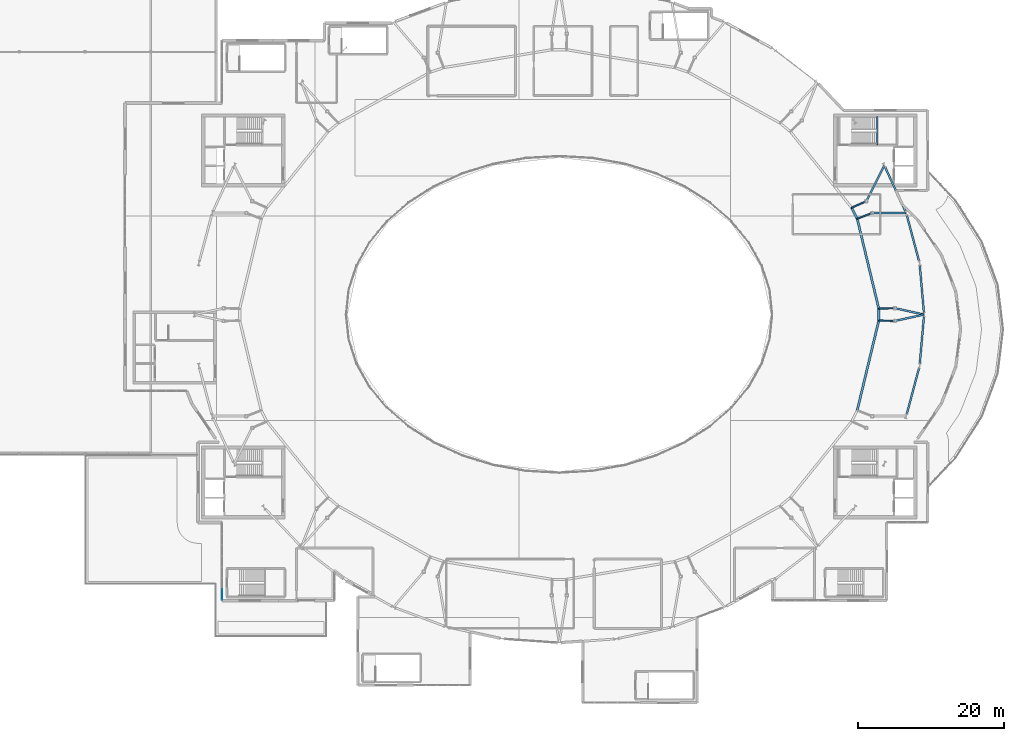
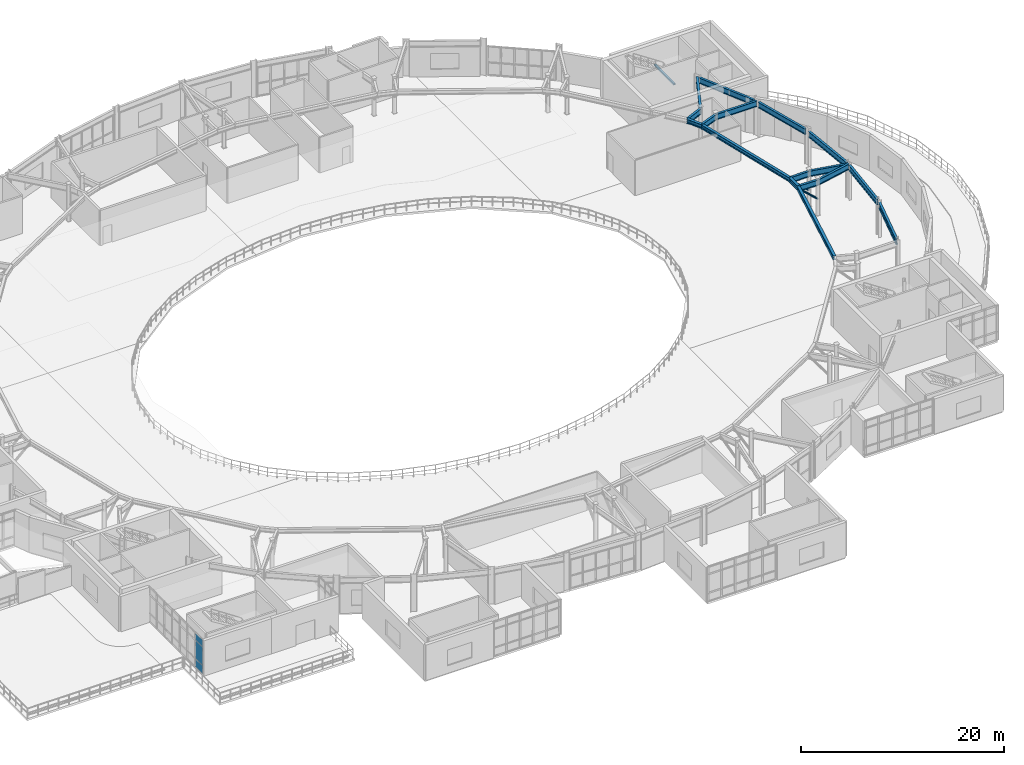
# One storey, part 30 of 48: 18 beams, 4 members, 3 plates, 1 element without a shape of its own.
"""IFC4 building model written with IfcOpenShell, lengths in metres."""

from ifc_helpers import new_model, si_unit, direction, frame, origin, origin_2d, place, context, subcontext, project, spatial, rectangle, hollow_rectangle, hollow_circle, i_section, extrude, material, layer, layer_set, material_profile, profile_set, type_object, element, aggregate, save


model = new_model("IFC4")

# Units and contexts
model_context = context("Model", 3, precision=1e-05, world=origin(), true_north=direction((0.0, 1.0)))
body_context = subcontext(model_context, "Body", "Model", "MODEL_VIEW")
ifc_project = project(units=[si_unit("LENGTHUNIT", "METRE"), si_unit("AREAUNIT", "SQUARE_METRE"), si_unit("VOLUMEUNIT", "CUBIC_METRE"), si_unit("PLANEANGLEUNIT", "RADIAN"), si_unit("MASSUNIT", "GRAM", prefix="KILO")], contexts=[model_context])

# Site, building, storey
site_placement = place(None, origin())
site = spatial("IfcSite", under=ifc_project, at=site_placement, CompositionType="ELEMENT")
building_placement = place(site_placement, origin())
building = spatial("IfcBuilding", under=site, at=building_placement, Name="Glasvene Arena", CompositionType="ELEMENT")
storey_placement = place(building_placement, frame((0.0, 0.0, 19.5)))
storey = spatial("IfcBuildingStorey", under=building, at=storey_placement, Name="L04", CompositionType="ELEMENT", Elevation=19.5)

# Beams
ifc_material_1 = material(Name="Steel S355J2", Category="steel")
ifc_material_profile_1 = material_profile(ifc_material_1, i_section(OverallWidth=0.300048828125, OverallDepth=0.5, WebThickness=0.014404296875, FlangeThickness=0.028076171875, FilletRadius=0.027099609375, at=origin_2d()), Name="HEB 500")
ifc_profile_set_1 = profile_set([ifc_material_profile_1], Name="Steel S355J2")
beam_type_1 = type_object("IfcBeamType", Name="BM-EAVE-CANT", PredefinedType="BEAM", material=ifc_profile_set_1)
beam_1_placement = place(storey_placement, frame((135.788818359375, 73.823486328125, 4.0), z_axis=(-0.233394845618, 0.972382047366, 0.0), x_axis=(-0.972382047366, -0.233394845618, 0.0)))
element("IfcBeam", 1, at=beam_1_placement, inside=storey, type_object=beam_type_1, Name="Gondola inner ring girder 01", PredefinedType="BEAM", context=body_context, shape_type="SweptSolid", body=[
    extrude(i_section(OverallWidth=0.300048828125, OverallDepth=0.5, WebThickness=0.014404296875, FlangeThickness=0.028076171875, FilletRadius=0.027099609375, at=origin_2d()), origin(), (0.0, 0.0, 1.0), 12.65283203125),
])
beam_2_placement = place(storey_placement, frame((132.835693359375, 86.126953125, 4.0), z_axis=(-0.447041372235, 0.894513281908, 0.0), x_axis=(-0.894513281908, -0.447041372235, 0.0)))
element("IfcBeam", 2, at=beam_2_placement, inside=storey, type_object=beam_type_1, Name="Gondola inner ring girder 02", PredefinedType="BEAM", context=body_context, shape_type="SweptSolid", body=[
    extrude(i_section(OverallWidth=0.300048828125, OverallDepth=0.5, WebThickness=0.014404296875, FlangeThickness=0.028076171875, FilletRadius=0.027099609375, at=origin_2d()), origin(), (0.0, 0.0, 1.0), 1.701171875),
])
beam_3_placement = place(storey_placement, frame((132.835693359375, 59.873046875, 4.0), z_axis=(0.233394845618, 0.972382047366, 0.0), x_axis=(-0.972382047366, 0.233394845618, 0.0)))
element("IfcBeam", 3, at=beam_3_placement, inside=storey, type_object=beam_type_1, Name="Gondola inner ring girder 31", PredefinedType="BEAM", context=body_context, shape_type="SweptSolid", body=[
    extrude(i_section(OverallWidth=0.300048828125, OverallDepth=0.5, WebThickness=0.014404296875, FlangeThickness=0.028076171875, FilletRadius=0.027099609375, at=origin_2d()), origin(), (0.0, 0.0, 1.0), 12.65283203125),
])
beam_4_placement = place(storey_placement, frame((135.788818359375, 72.176513671875, 4.0), z_axis=(0.0, 1.0, 0.0), x_axis=(-1.0, 0.0, 0.0)))
element("IfcBeam", 4, at=beam_4_placement, inside=storey, type_object=beam_type_1, Name="Gondola inner ring girder 32", PredefinedType="BEAM", context=body_context, shape_type="SweptSolid", body=[
    extrude(i_section(OverallWidth=0.300048828125, OverallDepth=0.5, WebThickness=0.014404296875, FlangeThickness=0.028076171875, FilletRadius=0.027099609375, at=origin_2d()), origin(), (0.0, 0.0, 1.0), 1.64697265625),
])
ifc_material_profile_2 = material_profile(ifc_material_1, i_section(OverallWidth=0.253662109375, OverallDepth=0.68359375, WebThickness=0.012451171875, FlangeThickness=0.01904296875, FilletRadius=0.01513671875, at=origin_2d()), Name="UKB 686x254x140")
ifc_profile_set_2 = profile_set([ifc_material_profile_2], Name="Steel S355J2")
beam_type_2 = type_object("IfcBeamType", Name="BM-GIRD-686", PredefinedType="BEAM", material=ifc_profile_set_2)
beam_5_placement = place(storey_placement, frame((141.97900390625, 73.239013671875, 3.908203125), z_axis=(-0.087106255104, 0.996199026461, 0.0), x_axis=(-0.996199026461, -0.087106255104, 0.0)))
element("IfcBeam", 5, at=beam_5_placement, inside=storey, type_object=beam_type_2, Name="Bowl ring chord beam L04-01", PredefinedType="BEAM", context=body_context, shape_type="SweptSolid", body=[
    extrude(i_section(OverallWidth=0.253662109375, OverallDepth=0.68359375, WebThickness=0.012451171875, FlangeThickness=0.01904296875, FilletRadius=0.01513671875, at=origin_2d()), origin(), (0.0, 0.0, 1.0), 6.586669921875),
])
beam_6_placement = place(storey_placement, frame((141.322509765625, 80.271484375, 3.908203125), z_axis=(-0.257729153992, 0.966217202901, 0.0), x_axis=(-0.966217202901, -0.257729153992, 0.0)))
element("IfcBeam", 6, at=beam_6_placement, inside=storey, type_object=beam_type_2, Name="Bowl ring chord beam L04-02", PredefinedType="BEAM", context=body_context, shape_type="SweptSolid", body=[
    extrude(i_section(OverallWidth=0.253662109375, OverallDepth=0.68359375, WebThickness=0.012451171875, FlangeThickness=0.01904296875, FilletRadius=0.01513671875, at=origin_2d()), origin(), (0.0, 0.0, 1.0), 6.626220703125),
])
beam_7_placement = place(storey_placement, frame((139.452392578125, 87.123779296875, 3.908203125), z_axis=(-0.418069169042, 0.908415196866, 0.0), x_axis=(-0.908415196866, -0.418069169042, 0.0)))
element("IfcBeam", 7, at=beam_7_placement, inside=storey, type_object=beam_type_2, Name="Bowl ring chord beam L04-03", PredefinedType="BEAM", context=body_context, shape_type="SweptSolid", body=[
    extrude(i_section(OverallWidth=0.253662109375, OverallDepth=0.68359375, WebThickness=0.012451171875, FlangeThickness=0.01904296875, FilletRadius=0.01513671875, at=origin_2d()), origin(), (0.0, 0.0, 1.0), 6.70166015625),
])
beam_8_placement = place(storey_placement, frame((139.61474609375, 59.326171875, 3.908203125), z_axis=(0.257729153992, 0.966217202901, 0.0), x_axis=(-0.966217202901, 0.257729153992, 0.0)))
element("IfcBeam", 8, at=beam_8_placement, inside=storey, type_object=beam_type_2, Name="Bowl ring chord beam L04-39", PredefinedType="BEAM", context=body_context, shape_type="SweptSolid", body=[
    extrude(i_section(OverallWidth=0.253662109375, OverallDepth=0.68359375, WebThickness=0.012451171875, FlangeThickness=0.01904296875, FilletRadius=0.01513671875, at=origin_2d()), origin(), (0.0, 0.0, 1.0), 6.626220703125),
])
beam_9_placement = place(storey_placement, frame((141.4052734375, 66.199462890625, 3.908203125), z_axis=(0.087106255104, 0.996199026461, 0.0), x_axis=(-0.996199026461, 0.087106255104, 0.0)))
element("IfcBeam", 9, at=beam_9_placement, inside=storey, type_object=beam_type_2, Name="Bowl ring chord beam L04-40", PredefinedType="BEAM", context=body_context, shape_type="SweptSolid", body=[
    extrude(i_section(OverallWidth=0.253662109375, OverallDepth=0.68359375, WebThickness=0.012451171875, FlangeThickness=0.01904296875, FilletRadius=0.01513671875, at=origin_2d()), origin(), (0.0, 0.0, 1.0), 6.586669921875),
])
beam_10_placement = place(storey_placement, frame((137.98828125, 73.87353515625, 3.908203125), z_axis=(0.977104393575, -0.212760438182, 0.0), x_axis=(0.212760438182, 0.977104393575, 0.0)))
element("IfcBeam", 10, at=beam_10_placement, inside=storey, type_object=beam_type_2, Name="Gondola outer floor beam 01", PredefinedType="BEAM", context=body_context, shape_type="SweptSolid", body=[
    extrude(i_section(OverallWidth=0.253662109375, OverallDepth=0.68359375, WebThickness=0.012451171875, FlangeThickness=0.01904296875, FilletRadius=0.01513671875, at=origin_2d()), origin(), (0.0, 0.0, 1.0), 4.105712890625),
])
beam_11_placement = place(storey_placement, frame((135.788818359375, 73.823486328125, 3.908203125), z_axis=(0.999741204967, 0.022749133868, 0.0), x_axis=(-0.022749133868, 0.999741204967, 0.0)))
element("IfcBeam", 11, at=beam_11_placement, inside=storey, type_object=beam_type_2, Name="Gondola inner bracket beam 01", PredefinedType="BEAM", context=body_context, shape_type="SweptSolid", body=[
    extrude(i_section(OverallWidth=0.253662109375, OverallDepth=0.68359375, WebThickness=0.012451171875, FlangeThickness=0.01904296875, FilletRadius=0.01513671875, at=origin_2d()), origin(), (0.0, 0.0, 1.0), 2.199951171875),
])
beam_12_placement = place(storey_placement, frame((134.886962890625, 86.922607421875, 3.908203125), z_axis=(0.999993482259, -0.003610462575, 0.0), x_axis=(0.003610462575, 0.999993482259, 0.0)))
element("IfcBeam", 12, at=beam_12_placement, inside=storey, type_object=beam_type_2, Name="Gondola outer floor beam 02", PredefinedType="BEAM", context=body_context, shape_type="SweptSolid", body=[
    extrude(i_section(OverallWidth=0.253662109375, OverallDepth=0.68359375, WebThickness=0.012451171875, FlangeThickness=0.01904296875, FilletRadius=0.01513671875, at=origin_2d()), origin(), (0.0, 0.0, 1.0), 4.665771484375),
])
beam_13_placement = place(storey_placement, frame((132.835693359375, 86.126953125, 3.908203125), z_axis=(0.932320846593, 0.361632187461, 0.0), x_axis=(-0.361632187461, 0.932320846593, 0.0)))
element("IfcBeam", 13, at=beam_13_placement, inside=storey, type_object=beam_type_2, Name="Gondola inner bracket beam 02", PredefinedType="BEAM", context=body_context, shape_type="SweptSolid", body=[
    extrude(i_section(OverallWidth=0.253662109375, OverallDepth=0.68359375, WebThickness=0.012451171875, FlangeThickness=0.01904296875, FilletRadius=0.01513671875, at=origin_2d()), origin(), (0.0, 0.0, 1.0), 2.2001953125),
])
beam_14_placement = place(storey_placement, frame((134.088134765625, 88.53662109375, 3.908203125), z_axis=(0.449494152887, 0.893283273391, 0.0), x_axis=(-0.893283273391, 0.449494152887, 0.0)))
element("IfcBeam", 14, at=beam_14_placement, inside=storey, type_object=beam_type_2, Name="Gondola outer floor beam 03", PredefinedType="BEAM", context=body_context, shape_type="SweptSolid", body=[
    extrude(i_section(OverallWidth=0.253662109375, OverallDepth=0.68359375, WebThickness=0.012451171875, FlangeThickness=0.01904296875, FilletRadius=0.01513671875, at=origin_2d()), origin(), (0.0, 0.0, 1.0), 5.4775390625),
])
beam_15_placement = place(storey_placement, frame((132.0751953125, 87.648681640625, 3.908203125), z_axis=(0.914938290662, 0.403593761448, 0.0), x_axis=(-0.403593761448, 0.914938290662, 0.0)))
element("IfcBeam", 15, at=beam_15_placement, inside=storey, type_object=beam_type_2, Name="Gondola inner bracket beam 03", PredefinedType="BEAM", context=body_context, shape_type="SweptSolid", body=[
    extrude(i_section(OverallWidth=0.253662109375, OverallDepth=0.68359375, WebThickness=0.012451171875, FlangeThickness=0.01904296875, FilletRadius=0.01513671875, at=origin_2d()), origin(), (0.0, 0.0, 1.0), 2.2001953125),
])
beam_16_placement = place(storey_placement, frame((137.98828125, 72.12646484375, 3.908203125), z_axis=(0.977104393575, 0.212760438182, 0.0), x_axis=(-0.212760438182, 0.977104393575, 0.0)))
element("IfcBeam", 16, at=beam_16_placement, inside=storey, type_object=beam_type_2, Name="Gondola outer floor beam 32", PredefinedType="BEAM", context=body_context, shape_type="SweptSolid", body=[
    extrude(i_section(OverallWidth=0.253662109375, OverallDepth=0.68359375, WebThickness=0.012451171875, FlangeThickness=0.01904296875, FilletRadius=0.01513671875, at=origin_2d()), origin(), (0.0, 0.0, 1.0), 4.105712890625),
])
beam_17_placement = place(storey_placement, frame((135.788818359375, 72.176513671875, 3.908203125), z_axis=(0.999741204967, -0.022749133868, 0.0), x_axis=(0.022749133868, 0.999741204967, 0.0)))
element("IfcBeam", 17, at=beam_17_placement, inside=storey, type_object=beam_type_2, Name="Gondola inner bracket beam 32", PredefinedType="BEAM", context=body_context, shape_type="SweptSolid", body=[
    extrude(i_section(OverallWidth=0.253662109375, OverallDepth=0.68359375, WebThickness=0.012451171875, FlangeThickness=0.01904296875, FilletRadius=0.01513671875, at=origin_2d()), origin(), (0.0, 0.0, 1.0), 2.199951171875),
])
ifc_material_profile_3 = material_profile(ifc_material_1, hollow_rectangle(XDim=0.199951171875, YDim=0.199951171875, WallThickness=0.010009765625, at=origin_2d()), Name="SHS 200x200x10.0")
ifc_profile_set_3 = profile_set([ifc_material_profile_3], Name="Steel S355J2")
beam_type_3 = type_object("IfcBeamType", Name="BM-LINTEL-200", PredefinedType="LINTEL", material=ifc_profile_set_3)
beam_18_placement = place(storey_placement, frame((135.580078125, 96.22998046875, 1.929931640625), z_axis=(0.0, 1.0, 0.0), x_axis=(-1.0, 0.0, 0.0)))
element("IfcBeam", 18, at=beam_18_placement, inside=storey, type_object=beam_type_3, Name="Stair half-landing support beam ST-02-L04", PredefinedType="LINTEL", context=body_context, shape_type="SweptSolid", body=[
    extrude(hollow_rectangle(XDim=0.199951171875, YDim=0.199951171875, WallThickness=0.010009765625, at=origin_2d()), origin(), (0.0, 0.0, 1.0), 3.89013671875),
])

# Members
ifc_material_profile_4 = material_profile(ifc_material_1, hollow_circle(Radius=0.109619140625, WallThickness=0.010009765625, at=origin_2d()), Name="CHS 219.1x10.0")
ifc_profile_set_4 = profile_set([ifc_material_profile_4], Name="Steel S355J2")
member_type = type_object("IfcMemberType", Name="MB-WEB-CHS219", PredefinedType="BRACE", material=ifc_profile_set_4)
member_1_placement = place(storey_placement, frame((137.98828125, 73.87353515625, 1.89990234375), z_axis=(-0.73975348703, -0.01683310743, 0.672667395465), x_axis=(0.022749133868, -0.999741204967, 0.0)))
element("IfcMember", 19, at=member_1_placement, inside=storey, type_object=member_type, Name="Gondola inclined knee strut 01", PredefinedType="BRACE", context=body_context, shape_type="SweptSolid", body=[
    extrude(hollow_circle(Radius=0.109619140625, WallThickness=0.010009765625, at=origin_2d()), origin(), (0.0, 0.0, 1.0), 2.97314453125),
])
for number, where, z_axis, x_axis, name in (
    (20, (134.886962890625, 86.922607421875, 1.89990234375), (-0.689886462511, -0.267595808299, 0.672643406438), (0.361632187461, -0.932320846593, 0.0), "Gondola inclined knee strut 02"),
    (21, (134.088134765625, 88.53662109375, 1.89990234375), (-0.677010952243, -0.298640246611, 0.672659032235), (0.403593761448, -0.914938290662, 0.0), "Gondola inclined knee strut 03"),
):
    element("IfcMember", number, at=place(storey_placement, frame(where, z_axis=z_axis, x_axis=x_axis)), inside=storey, type_object=member_type, Name=name, PredefinedType="BRACE", context=body_context, shape_type="SweptSolid", body=[
        extrude(hollow_circle(Radius=0.109619140625, WallThickness=0.010009765625, at=origin_2d()), origin(), (0.0, 0.0, 1.0), 2.973388671875),
    ])
member_2_placement = place(storey_placement, frame((137.98828125, 72.12646484375, 1.89990234375), z_axis=(-0.73975348703, 0.01683310743, 0.672667395465), x_axis=(-0.022749133868, -0.999741204967, 0.0)))
element("IfcMember", 22, at=member_2_placement, inside=storey, type_object=member_type, Name="Gondola inclined knee strut 32", PredefinedType="BRACE", context=body_context, shape_type="SweptSolid", body=[
    extrude(hollow_circle(Radius=0.109619140625, WallThickness=0.010009765625, at=origin_2d()), origin(), (0.0, 0.0, 1.0), 2.97314453125),
])

# Curtain wall, plates
ifc_material_2 = material(Name="Low-emissivity laminated double glazing", Category="glass")
curtain_wall_type = type_object("IfcCurtainWallType", Name="CW-FAC-L03-1062x419", PredefinedType="USERDEFINED", material=ifc_material_2)
curtain_wall_placement = place(storey_placement, frame((45.800048828125, 33.840087890625, 0.0)))
curtain_wall = element("IfcCurtainWall", 23, at=curtain_wall_placement, inside=storey, type_object=curtain_wall_type, Name="Unitised curtain wall CW-F-L04-180-458-392-4", ObjectType="CURTAIN WALL", PredefinedType="USERDEFINED")
ifc_layer = layer(ifc_material_2, 0.028076171875)
ifc_layer_set = layer_set([ifc_layer], Name="Low-emissivity laminated double glazing")
plate_type = type_object("IfcPlateType", Name="CW-GLZ-28", PredefinedType="CURTAIN_PANEL", material=ifc_layer_set)
plate_1_placement = place(storey_placement, frame((45.800048828125, 34.611083984375, 0.10986328125), z_axis=(0.0, 0.0, 1.0), x_axis=(0.0, 1.0, 0.0)))
plate_1 = element("IfcPlate", 24, at=plate_1_placement, type_object=plate_type, Name="CW-040 panel 1.1", PredefinedType="CURTAIN_PANEL", context=body_context, shape_type="SweptSolid", body=[
    extrude(rectangle(XDim=1.442138671875, YDim=0.028076171875, at=origin_2d()), origin(), (0.0, 0.0, 1.0), 0.965087890625),
])
plate_2_placement = place(storey_placement, frame((45.800048828125, 34.611083984375, 1.125), z_axis=(0.0, 0.0, 1.0), x_axis=(0.0, 1.0, 0.0)))
plate_2 = element("IfcPlate", 25, at=plate_2_placement, type_object=plate_type, Name="CW-040 panel 1.2", PredefinedType="CURTAIN_PANEL", context=body_context, shape_type="SweptSolid", body=[
    extrude(rectangle(XDim=1.442138671875, YDim=0.028076171875, at=origin_2d()), origin(), (0.0, 0.0, 1.0), 2.199951171875),
])
plate_3_placement = place(storey_placement, frame((45.800048828125, 34.611083984375, 3.375), z_axis=(0.0, 0.0, 1.0), x_axis=(0.0, 1.0, 0.0)))
plate_3 = element("IfcPlate", 26, at=plate_3_placement, type_object=plate_type, Name="CW-040 panel 1.3", PredefinedType="CURTAIN_PANEL", context=body_context, shape_type="SweptSolid", body=[
    extrude(rectangle(XDim=1.442138671875, YDim=0.028076171875, at=origin_2d()), origin(), (0.0, 0.0, 1.0), 0.824951171875),
])
aggregate(curtain_wall, [plate_1, plate_2, plate_3])

save(model, "model.ifc")
